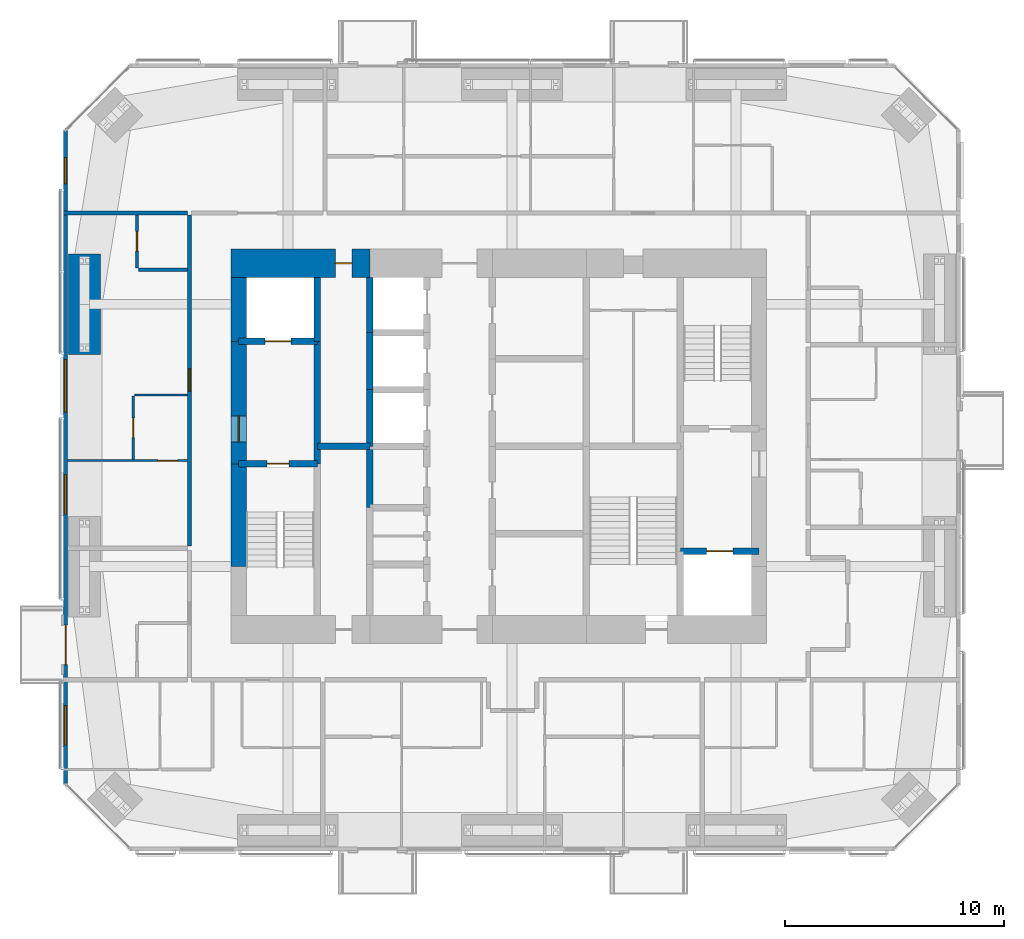
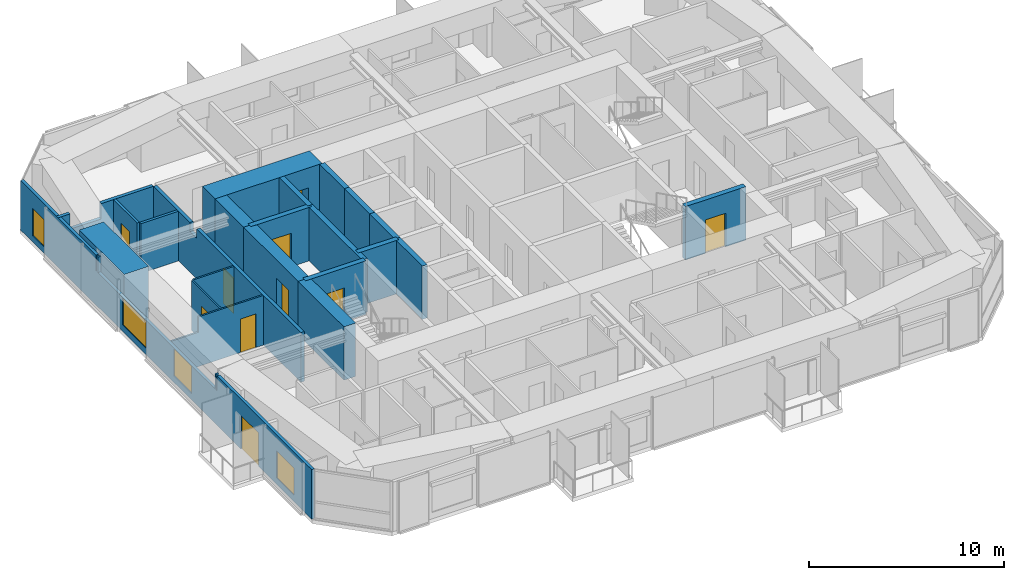
# One storey, part 17 of 22: 23 walls, 10 doors, 4 windows, 14 openings.
"""IFC4 building model written with IfcOpenShell, lengths in metres."""

import ifcopenshell
import ifcopenshell.guid

model = None  # the IFC model being written
_history = None  # IfcOwnerHistory: only IFC2X3 demands one
_inside = {}  # id of a spatial element -> (the spatial element, [elements in it])
_under = {}  # id of a project, library or spatial element -> (it, [spatial elements below it])
_declared = {}  # id of a project -> (the project, [libraries it declares])
_typed = {}  # id of a type object -> (the type object, [elements of that type])
_made_of = {}  # id of a material, layer set ... -> (it, [elements and type objects made of it])


def new_model(schema):
    """Start an empty IFC model of exactly this schema.

    Asked for "IFC4X3", IfcOpenShell would pick the latest addendum, in which some entities
    have other attributes; the version numbers below select the first issue.
    IFC2X3 requires an IfcOwnerHistory on every rooted entity: one is made here for all.
    """
    global model, _history
    if schema == "IFC4X3":
        model = ifcopenshell.file(schema_version=(4, 3, 0, 0))
    else:
        model = ifcopenshell.file(schema=schema)
    _inside.clear()
    _under.clear()
    _declared.clear()
    _typed.clear()
    _made_of.clear()
    _history = None
    if model.schema == "IFC2X3":
        org = make("IfcOrganization", Name="unknown")
        user = make(
            "IfcPersonAndOrganization",
            ThePerson=make("IfcPerson", FamilyName="unknown"),
            TheOrganization=org,
        )
        app = make(
            "IfcApplication",
            ApplicationDeveloper=org,
            Version="unknown",
            ApplicationFullName="unknown",
            ApplicationIdentifier="unknown",
        )
        _history = make(
            "IfcOwnerHistory",
            OwningUser=user,
            OwningApplication=app,
            ChangeAction="ADDED",
            CreationDate=0,
        )
    return model


def make(cls, **values):
    """One entity of the class cls with the attributes given. An attribute that is None is left unset."""
    return model.create_entity(
        cls, **{name: value for name, value in values.items() if value is not None}
    )


def rooted(cls, **values):
    """An entity with a GlobalId (a new one), such as an element, a storey or a relation."""
    return make(cls, GlobalId=ifcopenshell.guid.new(), OwnerHistory=_history, **values)


def si_unit(unit_type, name, prefix=None):
    """IfcSIUnit, for example si_unit("LENGTHUNIT", "METRE", prefix="MILLI")."""
    return make("IfcSIUnit", UnitType=unit_type, Prefix=prefix, Name=name)


def assignment(units):
    """IfcUnitAssignment: the units of a project."""
    return None if units is None else make("IfcUnitAssignment", Units=units)


def point(xyz):
    """IfcCartesianPoint."""
    return None if xyz is None else make("IfcCartesianPoint", Coordinates=xyz)


def direction(xyz):
    """IfcDirection."""
    return None if xyz is None else make("IfcDirection", DirectionRatios=xyz)


def frame(location, z_axis=None, x_axis=None):
    """IfcAxis2Placement3D, a coordinate frame: its origin and axes. An axis left out is left unset."""
    return make(
        "IfcAxis2Placement3D",
        Location=point(location),
        Axis=direction(z_axis),
        RefDirection=direction(x_axis),
    )


def frame_2d(location, x_axis=None):
    """IfcAxis2Placement2D, a coordinate frame in the plane: its origin and x axis."""
    return make(
        "IfcAxis2Placement2D", Location=point(location), RefDirection=direction(x_axis)
    )


def origin():
    """The frame at (0, 0, 0) with its axes left unset."""
    return frame((0.0, 0.0, 0.0))


def place(relative_to, where):
    """IfcLocalPlacement: puts the frame where relative to a parent placement (None: the world)."""
    return make(
        "IfcLocalPlacement", PlacementRelTo=relative_to, RelativePlacement=where
    )


def context(
    kind, dimensions, precision=None, world=None, true_north=None, identifier=None
):
    """IfcGeometricRepresentationContext, for example the 3D "Model" context."""
    return make(
        "IfcGeometricRepresentationContext",
        ContextIdentifier=identifier,
        ContextType=kind,
        CoordinateSpaceDimension=dimensions,
        Precision=precision,
        WorldCoordinateSystem=world,
        TrueNorth=true_north,
    )


def subcontext(parent, identifier, kind, view, scale=None):
    """IfcGeometricRepresentationSubContext, for example "Body" below "Model"."""
    return make(
        "IfcGeometricRepresentationSubContext",
        ContextIdentifier=identifier,
        ContextType=kind,
        ParentContext=parent,
        TargetScale=scale,
        TargetView=view,
    )


def project(units=None, contexts=None):
    """IfcProject with its units and contexts."""
    return rooted(
        "IfcProject",
        Name="project",
        RepresentationContexts=contexts,
        UnitsInContext=assignment(units),
    )


def spatial(cls, under=None, at=None, **own):
    """A site, building, storey or space (cls), placed at a placement, below another one or the project."""
    s = rooted(cls, ObjectPlacement=at, **own)
    if under is not None:
        _under.setdefault(under.id(), (under, []))[1].append(s)
    return s


def polyline(points):
    """IfcPolyline through the points."""
    return make("IfcPolyline", Points=[point(p) for p in points])


def profile(cls, at=None, kind="AREA", **sizes):
    """A parametric profile (cls). Its sizes go by their IFC names, for example OverallWidth=200.0."""
    return make(cls, ProfileType=kind, Position=at, **sizes)


def rectangle(**sizes):
    """IfcRectangleProfileDef."""
    return profile("IfcRectangleProfileDef", **sizes)


def outline(outer, holes=None, kind="AREA"):
    """IfcArbitraryClosedProfileDef: a profile drawn as a closed curve; with holes, ...WithVoids."""
    if holes is None:
        return make("IfcArbitraryClosedProfileDef", ProfileType=kind, OuterCurve=outer)
    return make(
        "IfcArbitraryProfileDefWithVoids",
        ProfileType=kind,
        OuterCurve=outer,
        InnerCurves=holes,
    )


def extrude(swept, where, along, depth):
    """IfcExtrudedAreaSolid: the profile swept, set in the frame where, extruded along a direction by depth."""
    return make(
        "IfcExtrudedAreaSolid",
        SweptArea=swept,
        Position=where,
        ExtrudedDirection=direction(along),
        Depth=depth,
    )


def shape(context_of_items, identifier, shape_type, items):
    """IfcShapeRepresentation: the items that make up one representation, for example the "Body"."""
    return make(
        "IfcShapeRepresentation",
        ContextOfItems=context_of_items,
        RepresentationIdentifier=identifier,
        RepresentationType=shape_type,
        Items=items,
    )


def material(Name=None, Category=None):
    """IfcMaterial."""
    return make("IfcMaterial", Name=Name, Category=Category)


def layer(
    of_material, thickness, ventilated=None, Name=None, Category=None, Priority=None
):
    """IfcMaterialLayer: one layer of a wall or slab, of a material (None: an air gap)."""
    return make(
        "IfcMaterialLayer",
        Material=of_material,
        LayerThickness=thickness,
        IsVentilated=ventilated,
        Name=Name,
        Category=Category,
        Priority=Priority,
    )


def layer_set(layers, Name=None):
    """IfcMaterialLayerSet."""
    return make("IfcMaterialLayerSet", MaterialLayers=layers, LayerSetName=Name)


def constituent(of_material, Name=None, Category=None, fraction=None):
    """IfcMaterialConstituent: one of the materials an element consists of."""
    return make(
        "IfcMaterialConstituent",
        Name=Name,
        Material=of_material,
        Fraction=fraction,
        Category=Category,
    )


def constituent_set(constituents=None, Name=None):
    """IfcMaterialConstituentSet."""
    return make(
        "IfcMaterialConstituentSet", Name=Name, MaterialConstituents=constituents
    )


def made_of(thing, what):
    """Note that an element or type object is made of a material, layer set ...; save() writes the relation."""
    if what is not None:
        _made_of.setdefault(what.id(), (what, []))[1].append(thing)
    return thing


def type_object(cls, material=None, **own):
    """A type object (cls), such as IfcWallType, which elements share."""
    return made_of(rooted(cls, **own), material)


def element(
    cls,
    number,
    at=None,
    inside=None,
    cuts=None,
    type_object=None,
    material=None,
    context=None,
    identifier="Body",
    shape_type=None,
    held_by="IfcProductDefinitionShape",
    body=None,
    shapes=None,
    **own,
):
    """One element of the class cls, such as IfcWall. Its Tag is "e" and its number.

    at: its placement. inside: the storey or other place that contains it. cuts: it is an
    opening in that element (IfcRelVoidsElement). A single representation is given by context,
    identifier, shape_type and body (its items); several are given by shapes. held_by: the class
    of the entity that holds the representations. save() writes the other relations.
    """
    e = rooted(cls, Tag="e%d" % number, ObjectPlacement=at, **own)
    if body is not None:
        shapes = [shape(context, identifier, shape_type, body)]
    if shapes is not None:
        e.Representation = make(held_by, Representations=shapes)
    if inside is not None:
        _inside.setdefault(inside.id(), (inside, []))[1].append(e)
    if cuts is not None:
        rooted(
            "IfcRelVoidsElement", RelatingBuildingElement=cuts, RelatedOpeningElement=e
        )
    if type_object is not None:
        _typed.setdefault(type_object.id(), (type_object, []))[1].append(e)
    return made_of(e, material)


def fill(opening, filler):
    """IfcRelFillsElement: the door or window that sits in an opening."""
    return rooted(
        "IfcRelFillsElement",
        RelatingOpeningElement=opening,
        RelatedBuildingElement=filler,
    )


def aggregate(whole, parts):
    """IfcRelAggregates: a whole, such as a stair, and the parts it consists of."""
    return rooted("IfcRelAggregates", RelatingObject=whole, RelatedObjects=parts)


def save(model, path):
    """Write the relations noted so far, then the file.

    IfcRelAggregates (storeys below a building ...), IfcRelContainedInSpatialStructure (elements
    in a storey), IfcRelDefinesByType, IfcRelAssociatesMaterial and IfcRelDeclares: one each for
    every whole, place, type object, material and project.
    """
    for whole, parts in _under.values():
        aggregate(whole, parts)
    for where, things in _inside.values():
        rooted(
            "IfcRelContainedInSpatialStructure",
            RelatedElements=things,
            RelatingStructure=where,
        )
    for kind, things in _typed.values():
        rooted("IfcRelDefinesByType", RelatedObjects=things, RelatingType=kind)
    for what, things in _made_of.values():
        rooted("IfcRelAssociatesMaterial", RelatedObjects=things, RelatingMaterial=what)
    for by, libraries in _declared.values():
        rooted("IfcRelDeclares", RelatingContext=by, RelatedDefinitions=libraries)
    model.write(path)


model = new_model("IFC4")

# Units and contexts
model_context = context("Model", 3, precision=1e-05, world=origin(), true_north=direction((0.0, 1.0)))
body_context = subcontext(model_context, "Body", "Model", "MODEL_VIEW")
ifc_project = project(units=[si_unit("LENGTHUNIT", "METRE"), si_unit("AREAUNIT", "SQUARE_METRE"), si_unit("VOLUMEUNIT", "CUBIC_METRE"), si_unit("PLANEANGLEUNIT", "RADIAN"), si_unit("MASSUNIT", "GRAM", prefix="KILO")], contexts=[model_context])

# Site, building, storey
site_placement = place(None, origin())
site = spatial("IfcSite", under=ifc_project, at=site_placement, CompositionType="ELEMENT")
building_placement = place(site_placement, origin())
building = spatial("IfcBuilding", under=site, at=building_placement, Name="Jalousie Tower", CompositionType="ELEMENT")
storey_placement = place(building_placement, frame((0.0, 0.0, 177.800048828125)))
storey = spatial("IfcBuildingStorey", under=building, at=storey_placement, Name="L48", CompositionType="ELEMENT", Elevation=177.800048828125)

# Wall, opening, door
ifc_material_1 = material(Name="Concrete block ASTM C90", Category="concrete")
ifc_constituent_1 = constituent(ifc_material_1, Name="Body")
ifc_material_2 = material(Name="Render")
ifc_constituent_2 = constituent(ifc_material_2, Name="Finish")
ifc_constituent_set_1 = constituent_set(constituents=[ifc_constituent_1, ifc_constituent_2])
wall_type_1 = type_object("IfcWallType", Name="BATHROOM WALL 150", PredefinedType="PLUMBINGWALL", material=ifc_constituent_set_1)
wall_1_placement = place(storey_placement, frame((15.35009765625, 26.64990234375, 0.0), z_axis=(0.0, 0.0, 1.0), x_axis=(0.0, 1.0, 0.0)))
wall_1 = element("IfcWall", 1, at=wall_1_placement, inside=storey, type_object=wall_type_1, Name="Bathroom Wall 150 L48", PredefinedType="PLUMBINGWALL", context=body_context, shape_type="SweptSolid", body=[
    extrude(rectangle(XDim=2.425048828125, YDim=0.14990234375, at=frame_2d((1.21240234375, 0.0))), origin(), (0.0, 0.0, 1.0), 3.10986328125),
])
opening_1_placement = place(wall_1_placement, frame((0.77490234375, 0.0, 0.0)))
opening_1 = element("IfcOpeningElement", 2, at=opening_1_placement, cuts=wall_1, Name="Opening D3", PredefinedType="OPENING", context=body_context, shape_type="SweptSolid", body=[
    extrude(rectangle(XDim=0.89990234375, YDim=2.10009765625, at=frame_2d((0.449951171875, 1.050048828125))), frame((0.0, 0.0849609375, 0.0), z_axis=(0.0, -1.0, 0.0), x_axis=(1.0, 0.0, 0.0)), (0.0, 0.0, 1.0), 0.169921875),
])
ifc_material_3 = material(Name="Timber door", Category="wood")
door_type_1 = type_object("IfcDoorType", Name="BATHROOM DOOR 900", OperationType="SINGLE_SWING_LEFT", PredefinedType="DOOR", material=ifc_material_3)
door_1_placement = place(opening_1_placement, frame((0.89990234375, 0.0, 0.0), z_axis=(0.0, 0.0, 1.0), x_axis=(-1.0, 0.0, 0.0)))
door_1 = element("IfcDoor", 3, at=door_1_placement, inside=storey, type_object=door_type_1, Name="Apartment 4806 bathroom door", OperationType="SINGLE_SWING_LEFT", OverallHeight=2.10009765625, OverallWidth=0.89990234375, PredefinedType="DOOR", context=body_context, shape_type="SweptSolid", body=[
    extrude(rectangle(XDim=0.89990234375, YDim=2.10009765625, at=frame_2d((0.449951171875, 1.050048828125))), frame((0.0, 0.02490234375, 0.0), z_axis=(0.0, -1.0, 0.0), x_axis=(1.0, 0.0, 0.0)), (0.0, 0.0, 1.0), 0.050048828125),
])
fill(opening_1, door_1)

# Wall
wall_2_placement = place(storey_placement, frame((15.425048828125, 26.574951171875, 0.0), z_axis=(0.0, 0.0, 1.0), x_axis=(1.0, 0.0, 0.0)))
element("IfcWall", 4, at=wall_2_placement, inside=storey, type_object=wall_type_1, Name="Bathroom Wall 150 L48", PredefinedType="PLUMBINGWALL", context=body_context, shape_type="SweptSolid", body=[
    extrude(rectangle(XDim=2.224853515625, YDim=0.14990234375, at=frame_2d((1.1123046875, 0.0))), origin(), (0.0, 0.0, 1.0), 3.10986328125),
])

# Wall, opening, door
ifc_material_4 = material(Name="Concrete f'c 120 MPa", Category="concrete")
ifc_layer_1 = layer(ifc_material_4, 1.300048828125)
ifc_layer_set_1 = layer_set([ifc_layer_1], Name="Concrete f'c 120 MPa")
wall_type_2 = type_object("IfcWallType", Name="CORE WALL 1300", PredefinedType="SHEAR", material=ifc_layer_set_1)
wall_3_placement = place(storey_placement, frame((26.0, 26.875, 0.0), z_axis=(0.0, 0.0, 1.0), x_axis=(-1.0, 0.0, 0.0)))
wall_3 = element("IfcWall", 5, at=wall_3_placement, inside=storey, type_object=wall_type_2, Name="Core wall ND L48", PredefinedType="SHEAR", context=body_context, shape_type="SweptSolid", body=[
    extrude(rectangle(XDim=6.35009765625, YDim=1.300048828125, at=frame_2d((3.175048828125, 0.0))), origin(), (0.0, 0.0, 1.0), 3.349853515625),
])
opening_2_placement = place(wall_3_placement, frame((0.824951171875, 0.0, 0.0)))
opening_2 = element("IfcOpeningElement", 6, at=opening_2_placement, cuts=wall_3, Name="Opening D16", PredefinedType="OPENING", context=body_context, shape_type="SweptSolid", body=[
    extrude(rectangle(XDim=0.75, YDim=2.10009765625, at=frame_2d((0.375, 1.050048828125))), frame((0.0, 0.659912109375, 0.0), z_axis=(0.0, -1.0, 0.0), x_axis=(1.0, 0.0, 0.0)), (0.0, 0.0, 1.0), 1.320068359375),
])
ifc_material_5 = material(Name="Steel fire door", Category="steel")
door_type_2 = type_object("IfcDoorType", Name="RISER DOOR 750", OperationType="SINGLE_SWING_LEFT", PredefinedType="DOOR", material=ifc_material_5)
door_2_placement = place(opening_2_placement, origin())
door_2 = element("IfcDoor", 7, at=door_2_placement, inside=storey, type_object=door_type_2, Name="North riser door", OperationType="SINGLE_SWING_RIGHT", OverallHeight=2.10009765625, OverallWidth=0.75, PredefinedType="DOOR", context=body_context, shape_type="SweptSolid", body=[
    extrude(rectangle(XDim=0.75, YDim=2.10009765625, at=frame_2d((0.375, 1.050048828125))), frame((0.0, 0.02490234375, 0.0), z_axis=(0.0, -1.0, 0.0), x_axis=(1.0, 0.0, 0.0)), (0.0, 0.0, 1.0), 0.050048828125),
])
fill(opening_2, door_2)

# Walls
ifc_material_6 = material(Name="Concrete f'c 120 MPa", Category="concrete")
ifc_layer_2 = layer(ifc_material_6, 0.300048828125)
ifc_layer_set_2 = layer_set([ifc_layer_2], Name="Concrete f'c 120 MPa")
wall_type_3 = type_object("IfcWallType", Name="CORE WALL 300", PredefinedType="SHEAR", material=ifc_layer_set_2)
wall_4_placement = place(storey_placement, frame((23.60009765625, 17.699951171875, 0.0), z_axis=(0.0, 0.0, 1.0), x_axis=(0.0, 1.0, 0.0)))
element("IfcWall", 8, at=wall_4_placement, inside=storey, type_object=wall_type_3, Name="Core wall X23.6B L48", PredefinedType="SHEAR", context=body_context, shape_type="SweptSolid", body=[
    extrude(rectangle(XDim=5.60009765625, YDim=0.300048828125, at=frame_2d((2.800048828125, 0.0))), origin(), (0.0, 0.0, 1.0), 3.349853515625),
])
wall_5_placement = place(storey_placement, frame((23.60009765625, 23.300048828125, 0.0), z_axis=(0.0, 0.0, 1.0), x_axis=(0.0, 1.0, 0.0)))
element("IfcWall", 9, at=wall_5_placement, inside=storey, type_object=wall_type_3, Name="Core wall X23.6C L48", PredefinedType="SHEAR", context=body_context, shape_type="SweptSolid", body=[
    extrude(rectangle(XDim=2.925048828125, YDim=0.300048828125, at=frame_2d((1.46240234375, 0.0))), origin(), (0.0, 0.0, 1.0), 3.349853515625),
])
wall_6_placement = place(storey_placement, frame((26.0, 15.699951171875, 0.0), z_axis=(0.0, 0.0, 1.0), x_axis=(0.0, 1.0, 0.0)))
element("IfcWall", 10, at=wall_6_placement, inside=storey, type_object=wall_type_3, Name="Core wall X26C L48", PredefinedType="SHEAR", context=body_context, shape_type="SweptSolid", body=[
    extrude(rectangle(XDim=2.800048828125, YDim=0.300048828125, at=frame_2d((1.39990234375, 0.0))), origin(), (0.0, 0.0, 1.0), 3.349853515625),
])
wall_7_placement = place(storey_placement, frame((26.0, 18.5, 0.0), z_axis=(0.0, 0.0, 1.0), x_axis=(0.0, 1.0, 0.0)))
element("IfcWall", 11, at=wall_7_placement, inside=storey, type_object=wall_type_3, Name="Core wall X26D L48", PredefinedType="SHEAR", context=body_context, shape_type="SweptSolid", body=[
    extrude(rectangle(XDim=2.60009765625, YDim=0.300048828125, at=frame_2d((1.300048828125, 0.0))), origin(), (0.0, 0.0, 1.0), 3.349853515625),
])
wall_8_placement = place(storey_placement, frame((26.0, 21.10009765625, 0.0), z_axis=(0.0, 0.0, 1.0), x_axis=(0.0, 1.0, 0.0)))
element("IfcWall", 12, at=wall_8_placement, inside=storey, type_object=wall_type_3, Name="Core wall X26E L48", PredefinedType="SHEAR", context=body_context, shape_type="SweptSolid", body=[
    extrude(rectangle(XDim=2.599853515625, YDim=0.300048828125, at=frame_2d((1.2998046875, 0.0))), origin(), (0.0, 0.0, 1.0), 3.349853515625),
])
wall_9_placement = place(storey_placement, frame((26.0, 23.699951171875, 0.0), z_axis=(0.0, 0.0, 1.0), x_axis=(0.0, 1.0, 0.0)))
element("IfcWall", 13, at=wall_9_placement, inside=storey, type_object=wall_type_3, Name="Core wall X26F L48", PredefinedType="SHEAR", context=body_context, shape_type="SweptSolid", body=[
    extrude(rectangle(XDim=2.525146484375, YDim=0.300048828125, at=frame_2d((1.2626953125, 0.0))), origin(), (0.0, 0.0, 1.0), 3.349853515625),
])

# Wall, opening, door
wall_10_placement = place(storey_placement, frame((20.0, 17.699951171875, 0.0), z_axis=(0.0, 0.0, 1.0), x_axis=(1.0, 0.0, 0.0)))
wall_10 = element("IfcWall", 14, at=wall_10_placement, inside=storey, type_object=wall_type_3, Name="Core wall Y20-17.7 L48", PredefinedType="SHEAR", context=body_context, shape_type="SweptSolid", body=[
    extrude(rectangle(XDim=3.60009765625, YDim=0.300048828125, at=frame_2d((1.800048828125, 0.0))), origin(), (0.0, 0.0, 1.0), 3.349853515625),
])
opening_3_placement = place(wall_10_placement, frame((1.300048828125, 0.0, 0.0)))
opening_3 = element("IfcOpeningElement", 15, at=opening_3_placement, cuts=wall_10, Name="Opening D10", PredefinedType="OPENING", context=body_context, shape_type="SweptSolid", body=[
    extrude(rectangle(XDim=1.0, YDim=2.10009765625, at=frame_2d((0.5, 1.050048828125))), frame((0.0, 0.159912109375, 0.0), z_axis=(0.0, -1.0, 0.0), x_axis=(1.0, 0.0, 0.0)), (0.0, 0.0, 1.0), 0.320068359375),
])
ifc_material_7 = material(Name="Steel fire door", Category="steel")
door_type_3 = type_object("IfcDoorType", Name="STAIR DOOR 1000", OperationType="SINGLE_SWING_LEFT", PredefinedType="DOOR", material=ifc_material_7)
door_3_placement = place(opening_3_placement, frame((1.0, 0.0, 0.0), z_axis=(0.0, 0.0, 1.0), x_axis=(-1.0, 0.0, 0.0)))
door_3 = element("IfcDoor", 16, at=door_3_placement, inside=storey, type_object=door_type_3, Name="Exit stair A door", OperationType="SINGLE_SWING_RIGHT", OverallHeight=2.10009765625, OverallWidth=1.0, PredefinedType="DOOR", context=body_context, shape_type="SweptSolid", body=[
    extrude(rectangle(XDim=1.0, YDim=2.10009765625, at=frame_2d((0.5, 1.050048828125))), frame((0.0, 0.02490234375, 0.0), z_axis=(0.0, -1.0, 0.0), x_axis=(1.0, 0.0, 0.0)), (0.0, 0.0, 1.0), 0.050048828125),
])
fill(opening_3, door_3)

wall_11_placement = place(storey_placement, frame((20.0, 23.300048828125, 0.0), z_axis=(0.0, 0.0, 1.0), x_axis=(1.0, 0.0, 0.0)))
wall_11 = element("IfcWall", 17, at=wall_11_placement, inside=storey, type_object=wall_type_3, Name="Core wall Y20-23.3 L48", PredefinedType="SHEAR", context=body_context, shape_type="SweptSolid", body=[
    extrude(rectangle(XDim=3.60009765625, YDim=0.300048828125, at=frame_2d((1.800048828125, 0.0))), origin(), (0.0, 0.0, 1.0), 3.349853515625),
])
opening_4_placement = place(wall_11_placement, frame((1.199951171875, 0.0, 0.0)))
opening_4 = element("IfcOpeningElement", 18, at=opening_4_placement, cuts=wall_11, Name="Opening LD2", PredefinedType="OPENING", context=body_context, shape_type="SweptSolid", body=[
    extrude(rectangle(XDim=1.199951171875, YDim=2.10009765625, at=frame_2d((0.60009765625, 1.050048828125))), frame((0.0, 0.159912109375, 0.0), z_axis=(0.0, -1.0, 0.0), x_axis=(1.0, 0.0, 0.0)), (0.0, 0.0, 1.0), 0.320068359375),
])
ifc_material_8 = material(Name="Steel lift landing door", Category="steel")
door_type_4 = type_object("IfcDoorType", Name="LIFT LANDING DOOR 1200", OperationType="SLIDING_TO_LEFT", PredefinedType="DOOR", material=ifc_material_8)
door_4_placement = place(opening_4_placement, origin())
door_4 = element("IfcDoor", 19, at=door_4_placement, inside=storey, type_object=door_type_4, Name="Lift F1 landing door", OperationType="SLIDING_TO_LEFT", OverallHeight=2.10009765625, OverallWidth=1.199951171875, PredefinedType="DOOR", context=body_context, shape_type="SweptSolid", body=[
    extrude(rectangle(XDim=1.199951171875, YDim=2.10009765625, at=frame_2d((0.60009765625, 1.050048828125))), frame((0.0, 0.02490234375, 0.0), z_axis=(0.0, -1.0, 0.0), x_axis=(1.0, 0.0, 0.0)), (0.0, 0.0, 1.0), 0.050048828125),
])
fill(opening_4, door_4)

# Wall
wall_12_placement = place(storey_placement, frame((23.60009765625, 18.5, 0.0), z_axis=(0.0, 0.0, 1.0), x_axis=(1.0, 0.0, 0.0)))
element("IfcWall", 20, at=wall_12_placement, inside=storey, type_object=wall_type_3, Name="Core wall Y23.6-18.5 L48", PredefinedType="SHEAR", context=body_context, shape_type="SweptSolid", body=[
    extrude(rectangle(XDim=2.39990234375, YDim=0.300048828125, at=frame_2d((1.199951171875, 0.0))), origin(), (0.0, 0.0, 1.0), 3.349853515625),
])

# Wall, opening, door
wall_13_placement = place(storey_placement, frame((40.199951171875, 13.699951171875, 0.0), z_axis=(0.0, 0.0, 1.0), x_axis=(1.0, 0.0, 0.0)))
wall_13 = element("IfcWall", 21, at=wall_13_placement, inside=storey, type_object=wall_type_3, Name="Core wall Y40.2-13.7 L48", PredefinedType="SHEAR", context=body_context, shape_type="SweptSolid", body=[
    extrude(rectangle(XDim=3.60009765625, YDim=0.300048828125, at=frame_2d((1.800048828125, 0.0))), origin(), (0.0, 0.0, 1.0), 3.349853515625),
])
opening_5_placement = place(wall_13_placement, frame((1.199951171875, 0.0, 0.0)))
opening_5 = element("IfcOpeningElement", 22, at=opening_5_placement, cuts=wall_13, Name="Opening LD2", PredefinedType="OPENING", context=body_context, shape_type="SweptSolid", body=[
    extrude(rectangle(XDim=1.199951171875, YDim=2.10009765625, at=frame_2d((0.60009765625, 1.050048828125))), frame((0.0, 0.159912109375, 0.0), z_axis=(0.0, -1.0, 0.0), x_axis=(1.0, 0.0, 0.0)), (0.0, 0.0, 1.0), 0.320068359375),
])
door_5_placement = place(opening_5_placement, origin())
door_5 = element("IfcDoor", 23, at=door_5_placement, inside=storey, type_object=door_type_4, Name="Lift F2 landing door", OperationType="SLIDING_TO_LEFT", OverallHeight=2.10009765625, OverallWidth=1.199951171875, PredefinedType="DOOR", context=body_context, shape_type="SweptSolid", body=[
    extrude(rectangle(XDim=1.199951171875, YDim=2.10009765625, at=frame_2d((0.60009765625, 1.050048828125))), frame((0.0, 0.02490234375, 0.0), z_axis=(0.0, -1.0, 0.0), x_axis=(1.0, 0.0, 0.0)), (0.0, 0.0, 1.0), 0.050048828125),
])
fill(opening_5, door_5)

# Wall
ifc_material_9 = material(Name="Concrete f'c 120 MPa", Category="concrete")
ifc_layer_3 = layer(ifc_material_9, 0.699951171875)
ifc_layer_set_3 = layer_set([ifc_layer_3], Name="Concrete f'c 120 MPa")
wall_type_4 = type_object("IfcWallType", Name="CORE WALL 700", PredefinedType="SHEAR", material=ifc_layer_set_3)
wall_14_placement = place(storey_placement, frame((20.0, 26.22509765625, 0.0), z_axis=(0.0, 0.0, 1.0), x_axis=(0.0, -1.0, 0.0)))
element("IfcWall", 24, at=wall_14_placement, inside=storey, type_object=wall_type_4, Name="Core wall WA L48", PredefinedType="SHEAR", context=body_context, shape_type="SweptSolid", body=[
    extrude(rectangle(XDim=2.925048828125, YDim=0.699951171875, at=frame_2d((1.46240234375, 0.0))), origin(), (0.0, 0.0, 1.0), 3.349853515625),
])

# Wall, opening, door
wall_15_placement = place(storey_placement, frame((20.0, 23.300048828125, 0.0), z_axis=(0.0, 0.0, 1.0), x_axis=(0.0, -1.0, 0.0)))
wall_15 = element("IfcWall", 25, at=wall_15_placement, inside=storey, type_object=wall_type_4, Name="Core wall WB L48", PredefinedType="SHEAR", context=body_context, shape_type="SweptSolid", body=[
    extrude(rectangle(XDim=5.60009765625, YDim=0.699951171875, at=frame_2d((2.800048828125, 0.0))), origin(), (0.0, 0.0, 1.0), 3.349853515625),
])
opening_6_placement = place(wall_15_placement, frame((3.39990234375, 0.0, 0.0)))
opening_6 = element("IfcOpeningElement", 26, at=opening_6_placement, cuts=wall_15, Name="Opening D11", PredefinedType="OPENING", context=body_context, shape_type="SweptSolid", body=[
    extrude(rectangle(XDim=1.199951171875, YDim=2.199951171875, at=frame_2d((0.60009765625, 1.10009765625))), frame((0.0, 0.35986328125, 0.0), z_axis=(0.0, -1.0, 0.0), x_axis=(1.0, 0.0, 0.0)), (0.0, 0.0, 1.0), 0.719970703125),
])
ifc_material_10 = material(Name="Steel fire door", Category="steel")
door_type_5 = type_object("IfcDoorType", Name="FIRE DOOR 1200", OperationType="SINGLE_SWING_LEFT", PredefinedType="DOOR", material=ifc_material_10)
door_6_placement = place(opening_6_placement, origin())
door_6 = element("IfcDoor", 27, at=door_6_placement, inside=storey, type_object=door_type_5, Name="Fire-fighting lobby A door", OperationType="SINGLE_SWING_RIGHT", OverallHeight=2.199951171875, OverallWidth=1.199951171875, PredefinedType="DOOR", context=body_context, shape_type="SweptSolid", body=[
    extrude(rectangle(XDim=1.199951171875, YDim=2.199951171875, at=frame_2d((0.60009765625, 1.10009765625))), frame((0.0, 0.02490234375, 0.0), z_axis=(0.0, -1.0, 0.0), x_axis=(1.0, 0.0, 0.0)), (0.0, 0.0, 1.0), 0.050048828125),
])
fill(opening_6, door_6)

# Wall
wall_16_placement = place(storey_placement, frame((20.0, 17.699951171875, 0.0), z_axis=(0.0, 0.0, 1.0), x_axis=(0.0, -1.0, 0.0)))
element("IfcWall", 28, at=wall_16_placement, inside=storey, type_object=wall_type_4, Name="Core wall WC L48", PredefinedType="SHEAR", context=body_context, shape_type="SweptSolid", body=[
    extrude(rectangle(XDim=4.699951171875, YDim=0.699951171875, at=frame_2d((2.35009765625, 0.0))), origin(), (0.0, 0.0, 1.0), 3.349853515625),
])

# Wall, opening, door
ifc_material_11 = material(Name="Concrete block ASTM C90", Category="concrete")
ifc_constituent_3 = constituent(ifc_material_11, Name="Body")
ifc_material_12 = material(Name="Render")
ifc_constituent_4 = constituent(ifc_material_12, Name="Finish")
ifc_constituent_set_2 = constituent_set(constituents=[ifc_constituent_3, ifc_constituent_4])
wall_type_5 = type_object("IfcWallType", Name="CORRIDOR WALL 200", PredefinedType="PARTITIONING", material=ifc_constituent_set_2)
wall_17_placement = place(storey_placement, frame((17.75, 13.949951171875, 0.0), z_axis=(0.0, 0.0, 1.0), x_axis=(0.0, 1.0, 0.0)))
wall_17 = element("IfcWall", 29, at=wall_17_placement, inside=storey, type_object=wall_type_5, Name="Corridor Wall 200 L48", PredefinedType="PARTITIONING", context=body_context, shape_type="SweptSolid", body=[
    extrude(outline(polyline([(0.0, 0.0), (15.125, 0.0), (15.125, 3.10986328125), (11.387451171875, 3.10986328125), (11.387451171875, 2.541015625), (10.712646484375, 2.541015625), (10.712646484375, 3.10986328125), (0.0, 3.10986328125), (0.0, 0.0)])), frame((0.0, 0.10009765625, 0.0), z_axis=(0.0, -1.0, 0.0), x_axis=(1.0, 0.0, 0.0)), (0.0, 0.0, 1.0), 0.199951171875),
])
opening_7_placement = place(wall_17_placement, frame((7.0625, 0.0, 0.0)))
opening_7 = element("IfcOpeningElement", 30, at=opening_7_placement, cuts=wall_17, Name="Opening D1", PredefinedType="OPENING", context=body_context, shape_type="SweptSolid", body=[
    extrude(rectangle(XDim=1.050048828125, YDim=2.199951171875, at=frame_2d((0.52490234375, 1.10009765625))), frame((0.0, 0.10986328125, 0.0), z_axis=(0.0, -1.0, 0.0), x_axis=(1.0, 0.0, 0.0)), (0.0, 0.0, 1.0), 0.219970703125),
])
ifc_material_13 = material(Name="Timber fire door", Category="wood")
door_type_6 = type_object("IfcDoorType", Name="APARTMENT ENTRANCE DOOR 1050", OperationType="SINGLE_SWING_LEFT", PredefinedType="DOOR", material=ifc_material_13)
door_7_placement = place(opening_7_placement, origin())
door_7 = element("IfcDoor", 31, at=door_7_placement, inside=storey, type_object=door_type_6, Name="Apartment 4806 entrance", OperationType="SINGLE_SWING_LEFT", OverallHeight=2.199951171875, OverallWidth=1.050048828125, PredefinedType="DOOR", context=body_context, shape_type="SweptSolid", body=[
    extrude(rectangle(XDim=1.050048828125, YDim=2.199951171875, at=frame_2d((0.52490234375, 1.10009765625))), frame((0.0, 0.02490234375, 0.0), z_axis=(0.0, -1.0, 0.0), x_axis=(1.0, 0.0, 0.0)), (0.0, 0.0, 1.0), 0.050048828125),
])
fill(opening_7, door_7)

# Wall, openings, door, windows
ifc_material_14 = material(Name="Concrete f'c 40 MPa", Category="concrete")
ifc_constituent_5 = constituent(ifc_material_14, Name="Body")
ifc_material_15 = material(Name="Render, pastel lemon")
ifc_constituent_6 = constituent(ifc_material_15, Name="Finish")
ifc_constituent_set_3 = constituent_set(constituents=[ifc_constituent_5, ifc_constituent_6])
wall_type_6 = type_object("IfcWallType", Name="EXTERNAL WALL 175 LEMON RENDER", PredefinedType="SOLIDWALL", material=ifc_constituent_set_3)
wall_18_placement = place(storey_placement, frame((12.08740234375, 32.94873046875, 0.0), z_axis=(0.0, 0.0, 1.0), x_axis=(0.0, -1.0, 0.0)))
wall_18 = element("IfcWall", 32, at=wall_18_placement, inside=storey, type_object=wall_type_6, Name="External Wall 175 Lemon Render L48", PredefinedType="SOLIDWALL", context=body_context, shape_type="SweptSolid", body=[
    extrude(outline(polyline([(0.0, 0.0), (29.8974609375, 0.0), (29.8974609375, 3.10986328125), (20.19140625, 3.10986328125), (20.19140625, 2.14990234375), (20.050537109375, 2.14990234375), (20.050537109375, 3.10986328125), (19.94873046875, 3.10986328125), (19.94873046875, 2.14990234375), (7.94873046875, 2.14990234375), (7.94873046875, 3.10986328125), (7.823486328125, 3.10986328125), (7.823486328125, 2.14990234375), (7.729736328125, 2.14990234375), (7.729736328125, 3.10986328125), (0.0, 3.10986328125), (0.0, 0.0)])), frame((0.0, 0.08740234375, 0.0), z_axis=(0.0, -1.0, 0.0), x_axis=(1.0, 0.0, 0.0)), (0.0, 0.0, 1.0), 0.175048828125),
])
opening_8_placement = place(wall_18_placement, frame((1.23681640625, 0.0, 0.39990234375)))
opening_8 = element("IfcOpeningElement", 33, at=opening_8_placement, cuts=wall_18, Name="Opening W-COR170", PredefinedType="OPENING", context=body_context, shape_type="SweptSolid", body=[
    extrude(rectangle(XDim=1.199951171875, YDim=1.699951171875, at=frame_2d((0.60009765625, 0.85009765625))), frame((0.0, 0.097412109375, 0.0), z_axis=(0.0, -1.0, 0.0), x_axis=(1.0, 0.0, 0.0)), (0.0, 0.0, 1.0), 0.195068359375),
])
opening_9_placement = place(wall_18_placement, frame((10.48193359375, 0.0, 0.39990234375)))
opening_9 = element("IfcOpeningElement", 34, at=opening_9_placement, cuts=wall_18, Name="Opening W-LIV170", PredefinedType="OPENING", context=body_context, shape_type="SweptSolid", body=[
    extrude(rectangle(XDim=2.39990234375, YDim=1.699951171875, at=frame_2d((1.199951171875, 0.85009765625))), frame((0.0, 0.097412109375, 0.0), z_axis=(0.0, -1.0, 0.0), x_axis=(1.0, 0.0, 0.0)), (0.0, 0.0, 1.0), 0.195068359375),
])
opening_10_placement = place(wall_18_placement, frame((15.735107421875, 0.0, 0.39990234375)))
opening_10 = element("IfcOpeningElement", 35, at=opening_10_placement, cuts=wall_18, Name="Opening W-BED170", PredefinedType="OPENING", context=body_context, shape_type="SweptSolid", body=[
    extrude(rectangle(XDim=1.800048828125, YDim=1.699951171875, at=frame_2d((0.89990234375, 0.85009765625))), frame((0.0, 0.097412109375, 0.0), z_axis=(0.0, -1.0, 0.0), x_axis=(1.0, 0.0, 0.0)), (0.0, 0.0, 1.0), 0.195068359375),
])
opening_11_placement = place(wall_18_placement, frame((22.623779296875, 0.0, 0.0)))
opening_11 = element("IfcOpeningElement", 36, at=opening_11_placement, cuts=wall_18, Name="Opening D-BAL21", PredefinedType="OPENING", context=body_context, shape_type="SweptSolid", body=[
    extrude(rectangle(XDim=1.800048828125, YDim=2.10009765625, at=frame_2d((0.89990234375, 1.050048828125))), frame((0.0, 0.097412109375, 0.0), z_axis=(0.0, -1.0, 0.0), x_axis=(1.0, 0.0, 0.0)), (0.0, 0.0, 1.0), 0.195068359375),
])
opening_12_placement = place(wall_18_placement, frame((26.300537109375, 0.0, 0.39990234375)))
opening_12 = element("IfcOpeningElement", 37, at=opening_12_placement, cuts=wall_18, Name="Opening W-BED170", PredefinedType="OPENING", context=body_context, shape_type="SweptSolid", body=[
    extrude(rectangle(XDim=1.800048828125, YDim=1.699951171875, at=frame_2d((0.89990234375, 0.85009765625))), frame((0.0, 0.097412109375, 0.0), z_axis=(0.0, -1.0, 0.0), x_axis=(1.0, 0.0, 0.0)), (0.0, 0.0, 1.0), 0.195068359375),
])
ifc_material_16 = material(Name="Aluminium frame, impact-rated glazing", Category="aluminium")
door_type_7 = type_object("IfcDoorType", Name="BALCONY DOOR 1800x2100", OperationType="SLIDING_TO_LEFT", PredefinedType="DOOR", material=ifc_material_16)
door_8_placement = place(opening_11_placement, origin())
door_8 = element("IfcDoor", 38, at=door_8_placement, inside=storey, type_object=door_type_7, Name="Apartment 4805 studio kitchen, living and sleeping room balcony door", OperationType="SLIDING_TO_LEFT", OverallHeight=2.10009765625, OverallWidth=1.800048828125, PredefinedType="DOOR", context=body_context, shape_type="SweptSolid", body=[
    extrude(rectangle(XDim=1.800048828125, YDim=2.10009765625, at=frame_2d((0.89990234375, 1.050048828125))), frame((0.0, 0.02490234375, 0.0), z_axis=(0.0, -1.0, 0.0), x_axis=(1.0, 0.0, 0.0)), (0.0, 0.0, 1.0), 0.050048828125),
])
fill(opening_11, door_8)
ifc_material_17 = material(Name="Aluminium frame, impact-rated glazing", Category="aluminium")
window_type_1 = type_object("IfcWindowType", Name="WINDOW BED 1800x1700", PartitioningType="SINGLE_PANEL", PredefinedType="WINDOW", material=ifc_material_17)
window_1_placement = place(opening_10_placement, origin())
window_1 = element("IfcWindow", 39, at=window_1_placement, inside=storey, type_object=window_type_1, Name="Apartment 4806 bedroom 1 window", OverallHeight=1.699951171875, OverallWidth=1.800048828125, PartitioningType="SINGLE_PANEL", PredefinedType="WINDOW", context=body_context, shape_type="SweptSolid", body=[
    extrude(rectangle(XDim=1.800048828125, YDim=1.699951171875, at=frame_2d((0.89990234375, 0.85009765625))), frame((0.0, 0.030029296875, 0.0), z_axis=(0.0, -1.0, 0.0), x_axis=(1.0, 0.0, 0.0)), (0.0, 0.0, 1.0), 0.06005859375),
])
fill(opening_10, window_1)
window_2_placement = place(opening_12_placement, origin())
window_2 = element("IfcWindow", 40, at=window_2_placement, inside=storey, type_object=window_type_1, Name="Apartment 4801 bedroom 1 window", OverallHeight=1.699951171875, OverallWidth=1.800048828125, PartitioningType="SINGLE_PANEL", PredefinedType="WINDOW", context=body_context, shape_type="SweptSolid", body=[
    extrude(rectangle(XDim=1.800048828125, YDim=1.699951171875, at=frame_2d((0.89990234375, 0.85009765625))), frame((0.0, 0.030029296875, 0.0), z_axis=(0.0, -1.0, 0.0), x_axis=(1.0, 0.0, 0.0)), (0.0, 0.0, 1.0), 0.06005859375),
])
fill(opening_12, window_2)
ifc_material_18 = material(Name="Aluminium frame, impact-rated glazing", Category="aluminium")
window_type_2 = type_object("IfcWindowType", Name="WINDOW COR 1200x1700", PartitioningType="SINGLE_PANEL", PredefinedType="WINDOW", material=ifc_material_18)
window_3_placement = place(opening_8_placement, origin())
window_3 = element("IfcWindow", 41, at=window_3_placement, inside=storey, type_object=window_type_2, Name="Residents' lounge window", OverallHeight=1.699951171875, OverallWidth=1.199951171875, PartitioningType="SINGLE_PANEL", PredefinedType="WINDOW", context=body_context, shape_type="SweptSolid", body=[
    extrude(rectangle(XDim=1.199951171875, YDim=1.699951171875, at=frame_2d((0.60009765625, 0.85009765625))), frame((0.0, 0.030029296875, 0.0), z_axis=(0.0, -1.0, 0.0), x_axis=(1.0, 0.0, 0.0)), (0.0, 0.0, 1.0), 0.06005859375),
])
fill(opening_8, window_3)
ifc_material_19 = material(Name="Aluminium frame, impact-rated glazing", Category="aluminium")
window_type_3 = type_object("IfcWindowType", Name="WINDOW LIV 2400x1700", PartitioningType="DOUBLE_PANEL_VERTICAL", PredefinedType="WINDOW", material=ifc_material_19)
window_4_placement = place(opening_9_placement, origin())
window_4 = element("IfcWindow", 42, at=window_4_placement, inside=storey, type_object=window_type_3, Name="Apartment 4806 living and dining room window", OverallHeight=1.699951171875, OverallWidth=2.39990234375, PartitioningType="SINGLE_PANEL", PredefinedType="WINDOW", context=body_context, shape_type="SweptSolid", body=[
    extrude(rectangle(XDim=2.39990234375, YDim=1.699951171875, at=frame_2d((1.199951171875, 0.85009765625))), frame((0.0, 0.030029296875, 0.0), z_axis=(0.0, -1.0, 0.0), x_axis=(1.0, 0.0, 0.0)), (0.0, 0.0, 1.0), 0.06005859375),
])
fill(opening_9, window_4)

# Wall, opening, door
ifc_material_20 = material(Name="Gypsum board", Category="gypsum")
ifc_constituent_7 = constituent(ifc_material_20, Name="Body")
ifc_material_21 = material(Name="Light-gauge steel studs ASTM A653 SS Grade 33", Category="steel")
ifc_constituent_8 = constituent(ifc_material_21, Name="Framing")
ifc_constituent_set_4 = constituent_set(constituents=[ifc_constituent_7, ifc_constituent_8])
wall_type_7 = type_object("IfcWallType", Name="PARTITION 100", PredefinedType="PARTITIONING", material=ifc_constituent_set_4)
wall_19_placement = place(storey_placement, frame((12.175048828125, 17.85009765625, 0.0), z_axis=(0.0, 0.0, 1.0), x_axis=(1.0, 0.0, 0.0)))
wall_19 = element("IfcWall", 43, at=wall_19_placement, inside=storey, type_object=wall_type_7, Name="Partition 100 L48", PredefinedType="PARTITIONING", context=body_context, shape_type="SweptSolid", body=[
    extrude(outline(polyline([(0.0, 0.0), (5.474853515625, 0.0), (5.47509765625, 3.10986328125), (1.635009765625, 3.10986328125), (1.635009765625, 2.14990234375), (0.0, 2.14990234375), (0.0, 3.10986328125), (0.0, 0.0)])), frame((0.0, 0.050048828125, 0.0), z_axis=(0.0, -1.0, 0.0), x_axis=(1.0, 0.0, 0.0)), (0.0, 0.0, 1.0), 0.10009765625),
])
opening_13_placement = place(wall_19_placement, frame((4.125, 0.0, 0.0)))
opening_13 = element("IfcOpeningElement", 44, at=opening_13_placement, cuts=wall_19, Name="Opening D2", PredefinedType="OPENING", context=body_context, shape_type="SweptSolid", body=[
    extrude(rectangle(XDim=0.89990234375, YDim=2.10009765625, at=frame_2d((0.449951171875, 1.050048828125))), frame((0.0, 0.06005859375, 0.0), z_axis=(0.0, -1.0, 0.0), x_axis=(1.0, 0.0, 0.0)), (0.0, 0.0, 1.0), 0.1201171875),
])
ifc_material_22 = material(Name="Timber door", Category="wood")
door_type_8 = type_object("IfcDoorType", Name="BEDROOM DOOR 900", OperationType="SINGLE_SWING_LEFT", PredefinedType="DOOR", material=ifc_material_22)
door_9_placement = place(opening_13_placement, frame((0.89990234375, 0.0, 0.0), z_axis=(0.0, 0.0, 1.0), x_axis=(-1.0, 0.0, 0.0)))
door_9 = element("IfcDoor", 45, at=door_9_placement, inside=storey, type_object=door_type_8, Name="Apartment 4806 bedroom 1 door", OperationType="SINGLE_SWING_LEFT", OverallHeight=2.10009765625, OverallWidth=0.89990234375, PredefinedType="DOOR", context=body_context, shape_type="SweptSolid", body=[
    extrude(rectangle(XDim=0.89990234375, YDim=2.10009765625, at=frame_2d((0.449951171875, 1.050048828125))), frame((0.0, 0.02490234375, 0.0), z_axis=(0.0, -1.0, 0.0), x_axis=(1.0, 0.0, 0.0)), (0.0, 0.0, 1.0), 0.050048828125),
])
fill(opening_13, door_9)

wall_20_placement = place(storey_placement, frame((15.175048828125, 17.89990234375, 0.0), z_axis=(0.0, 0.0, 1.0), x_axis=(0.0, 1.0, 0.0)))
wall_20 = element("IfcWall", 46, at=wall_20_placement, inside=storey, type_object=wall_type_7, Name="Partition 100 L48", PredefinedType="PARTITIONING", context=body_context, shape_type="SweptSolid", body=[
    extrude(rectangle(XDim=2.900146484375, YDim=0.10009765625, at=frame_2d((1.4501953125, 0.0))), origin(), (0.0, 0.0, 1.0), 3.10986328125),
])
opening_14_placement = place(wall_20_placement, frame((1.0, 0.0, 0.0)))
opening_14 = element("IfcOpeningElement", 47, at=opening_14_placement, cuts=wall_20, Name="Opening D7", PredefinedType="OPENING", context=body_context, shape_type="SweptSolid", body=[
    extrude(rectangle(XDim=0.89990234375, YDim=2.10009765625, at=frame_2d((0.449951171875, 1.050048828125))), frame((0.0, 0.06005859375, 0.0), z_axis=(0.0, -1.0, 0.0), x_axis=(1.0, 0.0, 0.0)), (0.0, 0.0, 1.0), 0.1201171875),
])
ifc_material_23 = material(Name="Timber door", Category="wood")
door_type_9 = type_object("IfcDoorType", Name="INTERNAL DOOR 900", OperationType="SINGLE_SWING_LEFT", PredefinedType="DOOR", material=ifc_material_23)
door_10_placement = place(opening_14_placement, origin())
door_10 = element("IfcDoor", 48, at=door_10_placement, inside=storey, type_object=door_type_9, Name="Apartment 4806 kitchen door", OperationType="SINGLE_SWING_LEFT", OverallHeight=2.10009765625, OverallWidth=0.89990234375, PredefinedType="DOOR", context=body_context, shape_type="SweptSolid", body=[
    extrude(rectangle(XDim=0.89990234375, YDim=2.10009765625, at=frame_2d((0.449951171875, 1.050048828125))), frame((0.0, 0.02490234375, 0.0), z_axis=(0.0, -1.0, 0.0), x_axis=(1.0, 0.0, 0.0)), (0.0, 0.0, 1.0), 0.050048828125),
])
fill(opening_14, door_10)

# Walls
wall_21_placement = place(storey_placement, frame((15.22509765625, 20.85009765625, 0.0), z_axis=(0.0, 0.0, 1.0), x_axis=(1.0, 0.0, 0.0)))
element("IfcWall", 49, at=wall_21_placement, inside=storey, type_object=wall_type_7, Name="Partition 100 L48", PredefinedType="PARTITIONING", context=body_context, shape_type="SweptSolid", body=[
    extrude(rectangle(XDim=2.4248046875, YDim=0.10009765625, at=frame_2d((1.21240234375, 0.0))), origin(), (0.0, 0.0, 1.0), 3.10986328125),
])
ifc_material_24 = material(Name="Concrete block ASTM C90", Category="concrete")
ifc_constituent_9 = constituent(ifc_material_24, Name="Body")
ifc_material_25 = material(Name="Render")
ifc_constituent_10 = constituent(ifc_material_25, Name="Finish")
ifc_constituent_set_5 = constituent_set(constituents=[ifc_constituent_9, ifc_constituent_10])
wall_type_8 = type_object("IfcWallType", Name="PARTY WALL 200", PredefinedType="PARTITIONING", material=ifc_constituent_set_5)
wall_22_placement = place(storey_placement, frame((12.0, 29.175048828125, 0.0), z_axis=(0.0, 0.0, 1.0), x_axis=(1.0, 0.0, 0.0)))
element("IfcWall", 50, at=wall_22_placement, inside=storey, type_object=wall_type_8, Name="Party Wall 200 L48", PredefinedType="PARTITIONING", context=body_context, shape_type="SweptSolid", body=[
    extrude(outline(polyline([(0.0, 0.0), (5.64990234375, 0.0), (5.64990234375, 3.10986328125), (2.546630859375, 3.10986328125), (2.546630859375, 2.14990234375), (0.703125, 2.14990234375), (0.703125, 3.10986328125), (0.0, 3.10986328125), (0.0, 0.0)])), frame((0.0, 0.10009765625, 0.0), z_axis=(0.0, -1.0, 0.0), x_axis=(1.0, 0.0, 0.0)), (0.0, 0.0, 1.0), 0.199951171875),
])
ifc_material_26 = material(Name="Concrete f'c 120 MPa", Category="concrete")
ifc_layer_4 = layer(ifc_material_26, 1.449951171875)
ifc_layer_set_4 = layer_set([ifc_layer_4], Name="Concrete f'c 120 MPa")
wall_type_9 = type_object("IfcWallType", Name="RC WALL PIER 1450", PredefinedType="SHEAR", material=ifc_layer_set_4)
wall_23_placement = place(storey_placement, frame((12.949951171875, 22.699951171875, 0.0), z_axis=(0.0, 0.0, 1.0), x_axis=(0.0, 1.0, 0.0)))
element("IfcWall", 51, at=wall_23_placement, inside=storey, type_object=wall_type_9, Name="Wall pier 13 L48", PredefinedType="SHEAR", context=body_context, shape_type="SweptSolid", body=[
    extrude(rectangle(XDim=4.60009765625, YDim=1.449951171875, at=frame_2d((2.300048828125, 0.0))), origin(), (0.0, 0.0, 1.0), 3.349853515625),
])

save(model, "model.ifc")
